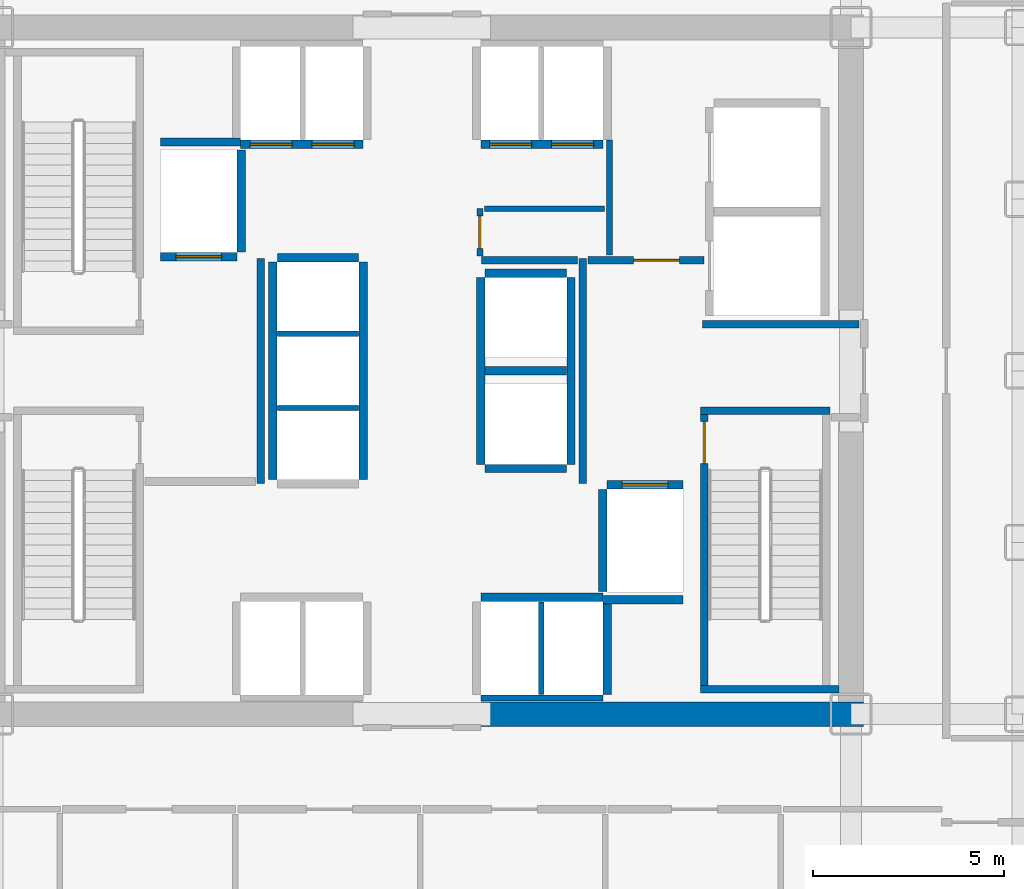
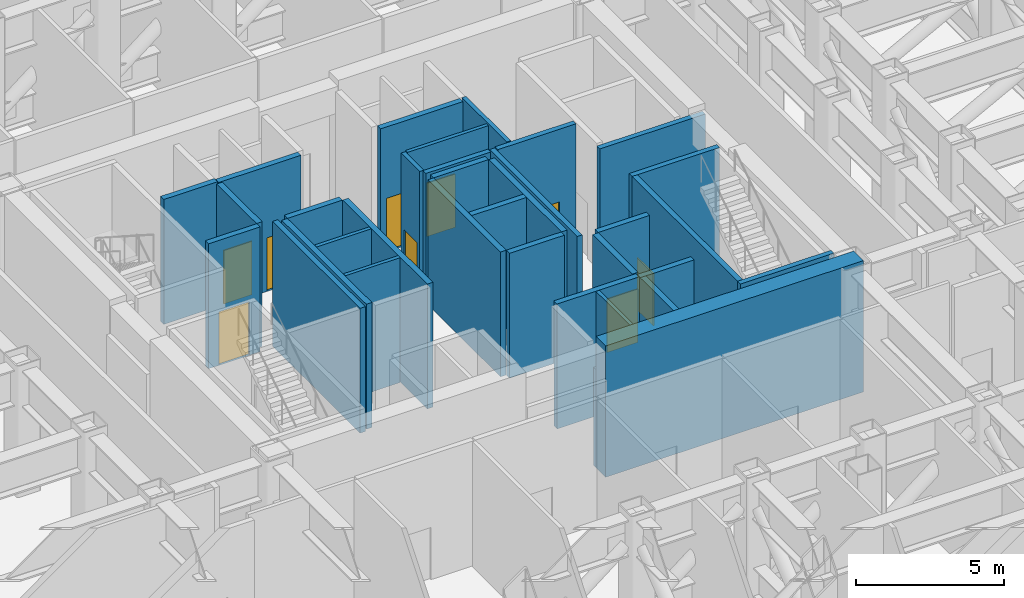
# One storey, part 11 of 17: 34 walls, 9 doors, 9 openings.
"""IFC4 building model written with IfcOpenShell, lengths in metres."""

from ifc_helpers import new_model, si_unit, direction, frame, frame_2d, origin, place, context, subcontext, project, spatial, rectangle, extrude, source, transform, mapped, material, layer, layer_set, type_object, element, fill, save


model = new_model("IFC4")

# Units and contexts
model_context = context("Model", 3, precision=1e-05, world=origin(), true_north=direction((0.0, 1.0)))
body_context = subcontext(model_context, "Body", "Model", "MODEL_VIEW")
ifc_project = project(units=[si_unit("LENGTHUNIT", "METRE"), si_unit("AREAUNIT", "SQUARE_METRE"), si_unit("VOLUMEUNIT", "CUBIC_METRE"), si_unit("PLANEANGLEUNIT", "RADIAN"), si_unit("MASSUNIT", "GRAM", prefix="KILO")], contexts=[model_context])

# Site, building, storey
site_placement = place(None, origin())
site = spatial("IfcSite", under=ifc_project, at=site_placement, CompositionType="ELEMENT")
building_placement = place(site_placement, origin())
building = spatial("IfcBuilding", under=site, at=building_placement, Name="Nefas-Gora Pilgrimage Tower", CompositionType="ELEMENT")
storey_placement = place(building_placement, frame((0.0, 0.0, 27.60009765625)))
storey = spatial("IfcBuildingStorey", under=building, at=storey_placement, Name="L05", CompositionType="ELEMENT", Elevation=27.60009765625)

# Walls
ifc_material_1 = material(Name="Concrete C60/75", Category="concrete")
ifc_layer_1 = layer(ifc_material_1, 0.64990234375)
ifc_layer_set_1 = layer_set([ifc_layer_1], Name="Concrete C60/75")
wall_type_1 = type_object("IfcWallType", Name="SW-CORE-650", PredefinedType="SHEAR", material=ifc_layer_set_1)
shared_shape_1 = source(origin(), body_context, "Body", "SweptSolid", [
    extrude(rectangle(XDim=10.02490234375, YDim=0.64990234375, at=frame_2d((5.012451171875, 0.0))), origin(), (0.0, 0.0, 1.0), 5.39990234375),
])
wall_1_placement = place(storey_placement, frame((1.550048828125, -9.0, 0.0), z_axis=(0.0, 0.0, 1.0), x_axis=(1.0, 0.0, 0.0)))
element("IfcWall", 1, at=wall_1_placement, inside=storey, type_object=wall_type_1, Name="L05 Core Shear Wall S-East", PredefinedType="SHEAR", context=body_context, shape_type="MappedRepresentation", body=[
    mapped(shared_shape_1, transform((0.0, 0.0, 0.0), x_axis=(1.0, 0.0, 0.0), y_axis=(0.0, 1.0, 0.0), z_axis=(0.0, 0.0, 1.0), scale=1.0)),
])
ifc_material_2 = material(Name="Concrete C45/55", Category="concrete")
ifc_layer_2 = layer(ifc_material_2, 0.199951171875)
ifc_layer_set_2 = layer_set([ifc_layer_2], Name="Concrete C45/55")
wall_type_2 = type_object("IfcWallType", Name="IW-STAIR-200", PredefinedType="SOLIDWALL", material=ifc_layer_set_2)
shared_shape_2 = source(origin(), body_context, "Body", "SweptSolid", [
    extrude(rectangle(XDim=3.39990234375, YDim=0.199951171875, at=frame_2d((1.699951171875, 0.0))), origin(), (0.0, 0.0, 1.0), 5.39990234375),
])
wall_2_placement = place(storey_placement, frame((7.300048828125, -1.050048828125, 0.0), z_axis=(0.0, 0.0, 1.0), x_axis=(1.0, 0.0, 0.0)))
element("IfcWall", 2, at=wall_2_placement, inside=storey, type_object=wall_type_2, Name="L05 Stairwell Shear Wall ST-02-near", PredefinedType="SOLIDWALL", context=body_context, shape_type="MappedRepresentation", body=[
    mapped(shared_shape_2, transform((0.0, 0.0, 0.0), x_axis=(1.0, 0.0, 0.0), y_axis=(0.0, 1.0, 0.0), z_axis=(0.0, 0.0, 1.0), scale=1.0)),
])
shared_shape_3 = source(origin(), body_context, "Body", "SweptSolid", [
    extrude(rectangle(XDim=3.6298828125, YDim=0.199951171875, at=frame_2d((1.81494140625, 0.0))), origin(), (0.0, 0.0, 1.0), 5.39990234375),
])
wall_3_placement = place(storey_placement, frame((7.300048828125, -8.35009765625, 0.0), z_axis=(0.0, 0.0, 1.0), x_axis=(1.0, 0.0, 0.0)))
element("IfcWall", 3, at=wall_3_placement, inside=storey, type_object=wall_type_2, Name="L05 Stairwell Shear Wall ST-02-far", PredefinedType="SOLIDWALL", context=body_context, shape_type="MappedRepresentation", body=[
    mapped(shared_shape_3, transform((0.0, 0.0, 0.0), x_axis=(1.0, 0.0, 0.0), y_axis=(0.0, 1.0, 0.0), z_axis=(0.0, 0.0, 1.0), scale=1.0)),
])

# Wall, opening, door
shared_shape_4 = source(origin(), body_context, "Body", "SweptSolid", [
    extrude(rectangle(XDim=7.10009765625, YDim=0.199951171875, at=frame_2d((3.550048828125, 0.0))), origin(), (0.0, 0.0, 1.0), 5.39990234375),
])
wall_4_placement = place(storey_placement, frame((7.39990234375, -1.14990234375, 0.0), z_axis=(0.0, 0.0, 1.0), x_axis=(0.0, -1.0, 0.0)))
wall_4 = element("IfcWall", 4, at=wall_4_placement, inside=storey, type_object=wall_type_2, Name="L05 Stairwell Shear Wall ST-02-left", PredefinedType="SOLIDWALL", context=body_context, shape_type="MappedRepresentation", body=[
    mapped(shared_shape_4, transform((0.0, 0.0, 0.0), x_axis=(1.0, 0.0, 0.0), y_axis=(0.0, 1.0, 0.0), z_axis=(0.0, 0.0, 1.0), scale=1.0)),
])
opening_1_placement = place(wall_4_placement, frame((0.179931640625, 0.0, 0.0)))
opening_1 = element("IfcOpeningElement", 5, at=opening_1_placement, cuts=wall_4, Name="Opening ID-ST1", PredefinedType="OPENING", context=body_context, shape_type="SweptSolid", body=[
    extrude(rectangle(XDim=1.10009765625, YDim=2.14990234375, at=frame_2d((0.550048828125, 1.074951171875))), frame((0.0, 0.10986328125, 0.0), z_axis=(0.0, -1.0, 0.0), x_axis=(1.0, 0.0, 0.0)), (0.0, 0.0, 1.0), 0.219970703125),
])
ifc_material_3 = material(Name="Painted galvanised steel fire stair door", Category="steel")
door_type_1 = type_object("IfcDoorType", Name="DR-INT-STAIR-1100", OperationType="NOTDEFINED", PredefinedType="DOOR", material=ifc_material_3)
shared_shape_5 = source(origin(), body_context, "Body", "SweptSolid", [
    extrude(rectangle(XDim=1.10009765625, YDim=2.14990234375, at=frame_2d((0.550048828125, 1.074951171875))), frame((0.0, 0.02490234375, 0.0), z_axis=(0.0, -1.0, 0.0), x_axis=(1.0, 0.0, 0.0)), (0.0, 0.0, 1.0), 0.050048828125),
])
door_1_placement = place(opening_1_placement, origin())
door_1 = element("IfcDoor", 6, at=door_1_placement, inside=storey, type_object=door_type_1, Name="L05 Protected Exit Stair Door ST-02", OperationType="SINGLE_SWING_RIGHT", OverallHeight=2.14990234375, OverallWidth=1.10009765625, PredefinedType="DOOR", context=body_context, shape_type="MappedRepresentation", body=[
    mapped(shared_shape_5, transform((0.0, 0.0, 0.0), x_axis=(1.0, 0.0, 0.0), y_axis=(0.0, 1.0, 0.0), z_axis=(0.0, 0.0, 1.0), scale=1.0)),
])
fill(opening_1, door_1)

ifc_material_4 = material(Name="Concrete C40/50", Category="concrete")
ifc_layer_3 = layer(ifc_material_4, 0.219970703125)
ifc_layer_set_3 = layer_set([ifc_layer_3], Name="Concrete C40/50")
wall_type_3 = type_object("IfcWallType", Name="IW-SHAFT-220", PredefinedType="SOLIDWALL", material=ifc_layer_set_3)
shared_shape_6 = source(origin(), body_context, "Body", "SweptSolid", [
    extrude(rectangle(XDim=2.0, YDim=0.219970703125, at=frame_2d((1.0, 0.0))), origin(), (0.0, 0.0, 1.0), 5.135009765625),
])
wall_5_placement = place(storey_placement, frame((-6.85009765625, 2.989990234375, 0.0), z_axis=(0.0, 0.0, 1.0), x_axis=(1.0, 0.0, 0.0)))
wall_5 = element("IfcWall", 7, at=wall_5_placement, inside=storey, type_object=wall_type_3, Name="L05 Hoistway Wall FFL-01-S", PredefinedType="SOLIDWALL", context=body_context, shape_type="MappedRepresentation", body=[
    mapped(shared_shape_6, transform((0.0, 0.0, 0.0), x_axis=(1.0, 0.0, 0.0), y_axis=(0.0, 1.0, 0.0), z_axis=(0.0, 0.0, 1.0), scale=1.0)),
])
opening_2_placement = place(wall_5_placement, frame((0.39990234375, 0.0, 0.0)))
opening_2 = element("IfcOpeningElement", 8, at=opening_2_placement, cuts=wall_5, Name="Opening LD-FF", PredefinedType="OPENING", context=body_context, shape_type="SweptSolid", body=[
    extrude(rectangle(XDim=1.199951171875, YDim=2.199951171875, at=frame_2d((0.60009765625, 1.10009765625))), frame((0.0, 0.119873046875, 0.0), z_axis=(0.0, -1.0, 0.0), x_axis=(1.0, 0.0, 0.0)), (0.0, 0.0, 1.0), 0.239990234375),
])
ifc_material_5 = material(Name="Fire-service sliding lift landing door")
door_type_2 = type_object("IfcDoorType", Name="DR-LIFT-FSAE-1200", OperationType="SLIDING_TO_LEFT", PredefinedType="DOOR", material=ifc_material_5)
shared_shape_7 = source(origin(), body_context, "Body", "SweptSolid", [
    extrude(rectangle(XDim=1.199951171875, YDim=2.199951171875, at=frame_2d((0.60009765625, 1.10009765625))), frame((0.0, 0.02490234375, 0.0), z_axis=(0.0, -1.0, 0.0), x_axis=(1.0, 0.0, 0.0)), (0.0, 0.0, 1.0), 0.050048828125),
])
door_2_placement = place(opening_2_placement, origin())
door_2 = element("IfcDoor", 9, at=door_2_placement, inside=storey, type_object=door_type_2, Name="L05 Sliding Lift Landing Door FFL-01", OperationType="SLIDING_TO_LEFT", OverallHeight=2.199951171875, OverallWidth=1.199951171875, PredefinedType="DOOR", context=body_context, shape_type="MappedRepresentation", body=[
    mapped(shared_shape_7, transform((0.0, 0.0, 0.0), x_axis=(1.0, 0.0, 0.0), y_axis=(0.0, 1.0, 0.0), z_axis=(0.0, 0.0, 1.0), scale=1.0)),
])
fill(opening_2, door_2)

wall_6_placement = place(storey_placement, frame((6.85009765625, -2.989990234375, 0.0), z_axis=(0.0, 0.0, 1.0), x_axis=(-1.0, 0.0, 0.0)))
wall_6 = element("IfcWall", 10, at=wall_6_placement, inside=storey, type_object=wall_type_3, Name="L05 Hoistway Wall FFL-02-N", PredefinedType="SOLIDWALL", context=body_context, shape_type="MappedRepresentation", body=[
    mapped(shared_shape_6, transform((0.0, 0.0, 0.0), x_axis=(1.0, 0.0, 0.0), y_axis=(0.0, 1.0, 0.0), z_axis=(0.0, 0.0, 1.0), scale=1.0)),
])
opening_3_placement = place(wall_6_placement, frame((0.39990234375, 0.0, 0.0)))
opening_3 = element("IfcOpeningElement", 11, at=opening_3_placement, cuts=wall_6, Name="Opening LD-FF", PredefinedType="OPENING", context=body_context, shape_type="SweptSolid", body=[
    extrude(rectangle(XDim=1.199951171875, YDim=2.199951171875, at=frame_2d((0.60009765625, 1.10009765625))), frame((0.0, 0.119873046875, 0.0), z_axis=(0.0, -1.0, 0.0), x_axis=(1.0, 0.0, 0.0)), (0.0, 0.0, 1.0), 0.239990234375),
])
door_3_placement = place(opening_3_placement, origin())
door_3 = element("IfcDoor", 12, at=door_3_placement, inside=storey, type_object=door_type_2, Name="L05 Sliding Lift Landing Door FFL-02", OperationType="SLIDING_TO_LEFT", OverallHeight=2.199951171875, OverallWidth=1.199951171875, PredefinedType="DOOR", context=body_context, shape_type="MappedRepresentation", body=[
    mapped(shared_shape_7, transform((0.0, 0.0, 0.0), x_axis=(1.0, 0.0, 0.0), y_axis=(0.0, 1.0, 0.0), z_axis=(0.0, 0.0, 1.0), scale=1.0)),
])
fill(opening_3, door_3)

# Walls
shared_shape_8 = source(origin(), body_context, "Body", "SweptSolid", [
    extrude(rectangle(XDim=2.679931640625, YDim=0.219970703125, at=frame_2d((1.33984375, 0.0))), origin(), (0.0, 0.0, 1.0), 5.135009765625),
])
for number, where, z_axis, x_axis, name in (
    (13, (-4.739990234375, 3.110107421875, 0.0), (0.0, 0.0, 1.0), (0.0, 1.0, 0.0), "L05 Hoistway Wall FFL-01-E"),
    (14, (4.739990234375, -3.110107421875, 0.0), (0.0, 0.0, 1.0), (0.0, -1.0, 0.0), "L05 Hoistway Wall FFL-02-W"),
):
    element("IfcWall", number, at=place(storey_placement, frame(where, z_axis=z_axis, x_axis=x_axis)), inside=storey, type_object=wall_type_3, Name=name, PredefinedType="SOLIDWALL", context=body_context, shape_type="MappedRepresentation", body=[
        mapped(shared_shape_8, transform((0.0, 0.0, 0.0), x_axis=(1.0, 0.0, 0.0), y_axis=(0.0, 1.0, 0.0), z_axis=(0.0, 0.0, 1.0), scale=1.0)),
    ])

# Wall, openings, doors
shared_shape_9 = source(origin(), body_context, "Body", "SweptSolid", [
    extrude(rectangle(XDim=3.199951171875, YDim=0.219970703125, at=frame_2d((1.60009765625, 0.0))), origin(), (0.0, 0.0, 1.0), 5.135009765625),
])
wall_7_placement = place(storey_placement, frame((-4.75, 5.93994140625, 0.0), z_axis=(0.0, 0.0, 1.0), x_axis=(1.0, 0.0, 0.0)))
wall_7 = element("IfcWall", 15, at=wall_7_placement, inside=storey, type_object=wall_type_3, Name="L05 Hoistway Wall PL1-W-S", PredefinedType="SOLIDWALL", context=body_context, shape_type="MappedRepresentation", body=[
    mapped(shared_shape_9, transform((0.0, 0.0, 0.0), x_axis=(1.0, 0.0, 0.0), y_axis=(0.0, 1.0, 0.0), z_axis=(0.0, 0.0, 1.0), scale=1.0)),
])
opening_4_placement = place(wall_7_placement, frame((0.25, 0.0, 0.0)))
opening_4 = element("IfcOpeningElement", 16, at=opening_4_placement, cuts=wall_7, Name="Opening LD-01", PredefinedType="OPENING", context=body_context, shape_type="SweptSolid", body=[
    extrude(rectangle(XDim=1.10009765625, YDim=2.199951171875, at=frame_2d((0.550048828125, 1.10009765625))), frame((0.0, 0.119873046875, 0.0), z_axis=(0.0, -1.0, 0.0), x_axis=(1.0, 0.0, 0.0)), (0.0, 0.0, 1.0), 0.239990234375),
])
opening_5_placement = place(wall_7_placement, frame((1.875, 0.0, 0.0)))
opening_5 = element("IfcOpeningElement", 17, at=opening_5_placement, cuts=wall_7, Name="Opening LD-01", PredefinedType="OPENING", context=body_context, shape_type="SweptSolid", body=[
    extrude(rectangle(XDim=1.10009765625, YDim=2.199951171875, at=frame_2d((0.550048828125, 1.10009765625))), frame((0.0, 0.119873046875, 0.0), z_axis=(0.0, -1.0, 0.0), x_axis=(1.0, 0.0, 0.0)), (0.0, 0.0, 1.0), 0.239990234375),
])
ifc_material_6 = material(Name="Brushed stainless sliding lift landing door")
door_type_3 = type_object("IfcDoorType", Name="DR-LIFT-PASS-1100", OperationType="DOUBLE_DOOR_SLIDING", PredefinedType="DOOR", material=ifc_material_6)
shared_shape_10 = source(origin(), body_context, "Body", "SweptSolid", [
    extrude(rectangle(XDim=1.10009765625, YDim=2.199951171875, at=frame_2d((0.550048828125, 1.10009765625))), frame((0.0, 0.02490234375, 0.0), z_axis=(0.0, -1.0, 0.0), x_axis=(1.0, 0.0, 0.0)), (0.0, 0.0, 1.0), 0.050048828125),
])
door_4_placement = place(opening_4_placement, origin())
door_4 = element("IfcDoor", 18, at=door_4_placement, inside=storey, type_object=door_type_3, Name="L05 Sliding Lift Landing Door PL1-01", OperationType="DOUBLE_DOOR_SLIDING", OverallHeight=2.199951171875, OverallWidth=1.10009765625, PredefinedType="DOOR", context=body_context, shape_type="MappedRepresentation", body=[
    mapped(shared_shape_10, transform((0.0, 0.0, 0.0), x_axis=(1.0, 0.0, 0.0), y_axis=(0.0, 1.0, 0.0), z_axis=(0.0, 0.0, 1.0), scale=1.0)),
])
fill(opening_4, door_4)
door_5_placement = place(opening_5_placement, origin())
door_5 = element("IfcDoor", 19, at=door_5_placement, inside=storey, type_object=door_type_3, Name="L05 Sliding Lift Landing Door PL1-02", OperationType="DOUBLE_DOOR_SLIDING", OverallHeight=2.199951171875, OverallWidth=1.10009765625, PredefinedType="DOOR", context=body_context, shape_type="MappedRepresentation", body=[
    mapped(shared_shape_10, transform((0.0, 0.0, 0.0), x_axis=(1.0, 0.0, 0.0), y_axis=(0.0, 1.0, 0.0), z_axis=(0.0, 0.0, 1.0), scale=1.0)),
])
fill(opening_5, door_5)

wall_8_placement = place(storey_placement, frame((1.550048828125, 5.93994140625, 0.0), z_axis=(0.0, 0.0, 1.0), x_axis=(1.0, 0.0, 0.0)))
wall_8 = element("IfcWall", 20, at=wall_8_placement, inside=storey, type_object=wall_type_3, Name="L05 Hoistway Wall PL1-E-S", PredefinedType="SOLIDWALL", context=body_context, shape_type="MappedRepresentation", body=[
    mapped(shared_shape_9, transform((0.0, 0.0, 0.0), x_axis=(1.0, 0.0, 0.0), y_axis=(0.0, 1.0, 0.0), z_axis=(0.0, 0.0, 1.0), scale=1.0)),
])
opening_6_placement = place(wall_8_placement, frame((0.22509765625, 0.0, 0.0)))
opening_6 = element("IfcOpeningElement", 21, at=opening_6_placement, cuts=wall_8, Name="Opening LD-01", PredefinedType="OPENING", context=body_context, shape_type="SweptSolid", body=[
    extrude(rectangle(XDim=1.10009765625, YDim=2.199951171875, at=frame_2d((0.550048828125, 1.10009765625))), frame((0.0, 0.119873046875, 0.0), z_axis=(0.0, -1.0, 0.0), x_axis=(1.0, 0.0, 0.0)), (0.0, 0.0, 1.0), 0.239990234375),
])
opening_7_placement = place(wall_8_placement, frame((1.85009765625, 0.0, 0.0)))
opening_7 = element("IfcOpeningElement", 22, at=opening_7_placement, cuts=wall_8, Name="Opening LD-01", PredefinedType="OPENING", context=body_context, shape_type="SweptSolid", body=[
    extrude(rectangle(XDim=1.10009765625, YDim=2.199951171875, at=frame_2d((0.550048828125, 1.10009765625))), frame((0.0, 0.119873046875, 0.0), z_axis=(0.0, -1.0, 0.0), x_axis=(1.0, 0.0, 0.0)), (0.0, 0.0, 1.0), 0.239990234375),
])
door_6_placement = place(opening_6_placement, origin())
door_6 = element("IfcDoor", 23, at=door_6_placement, inside=storey, type_object=door_type_3, Name="L05 Sliding Lift Landing Door PL1-03", OperationType="DOUBLE_DOOR_SLIDING", OverallHeight=2.199951171875, OverallWidth=1.10009765625, PredefinedType="DOOR", context=body_context, shape_type="MappedRepresentation", body=[
    mapped(shared_shape_10, transform((0.0, 0.0, 0.0), x_axis=(1.0, 0.0, 0.0), y_axis=(0.0, 1.0, 0.0), z_axis=(0.0, 0.0, 1.0), scale=1.0)),
])
fill(opening_6, door_6)
door_7_placement = place(opening_7_placement, origin())
door_7 = element("IfcDoor", 24, at=door_7_placement, inside=storey, type_object=door_type_3, Name="L05 Sliding Lift Landing Door PL1-04", OperationType="DOUBLE_DOOR_SLIDING", OverallHeight=2.199951171875, OverallWidth=1.10009765625, PredefinedType="DOOR", context=body_context, shape_type="MappedRepresentation", body=[
    mapped(shared_shape_10, transform((0.0, 0.0, 0.0), x_axis=(1.0, 0.0, 0.0), y_axis=(0.0, 1.0, 0.0), z_axis=(0.0, 0.0, 1.0), scale=1.0)),
])
fill(opening_7, door_7)

# Walls
wall_9_placement = place(storey_placement, frame((4.75, -5.93994140625, 0.0), z_axis=(0.0, 0.0, 1.0), x_axis=(-1.0, 0.0, 0.0)))
element("IfcWall", 25, at=wall_9_placement, inside=storey, type_object=wall_type_3, Name="L05 Hoistway Wall PL2-E-N", PredefinedType="SOLIDWALL", context=body_context, shape_type="MappedRepresentation", body=[
    mapped(shared_shape_9, transform((0.0, 0.0, 0.0), x_axis=(1.0, 0.0, 0.0), y_axis=(0.0, 1.0, 0.0), z_axis=(0.0, 0.0, 1.0), scale=1.0)),
])
ifc_material_7 = material(Name="Gypsum acoustic stud partition")
ifc_layer_4 = layer(ifc_material_7, 0.159912109375)
ifc_layer_set_4 = layer_set([ifc_layer_4], Name="Gypsum acoustic stud partition")
wall_type_4 = type_object("IfcWallType", Name="IW-CORR-160", PredefinedType="PARTITIONING", material=ifc_layer_set_4)
shared_shape_11 = source(origin(), body_context, "Body", "SweptSolid", [
    extrude(rectangle(XDim=3.199951171875, YDim=0.159912109375, at=frame_2d((1.60009765625, 0.0))), origin(), (0.0, 0.0, 1.0), 4.02490234375),
])
wall_10_placement = place(storey_placement, frame((1.550048828125, -8.580078125, 0.0), z_axis=(0.0, 0.0, 1.0), x_axis=(1.0, 0.0, 0.0)))
element("IfcWall", 26, at=wall_10_placement, inside=storey, type_object=wall_type_4, Name="L05 Hoistway Wall PL2-E-S", PredefinedType="PARTITIONING", context=body_context, shape_type="MappedRepresentation", body=[
    mapped(shared_shape_11, transform((0.0, 0.0, 0.0), x_axis=(1.0, 0.0, 0.0), y_axis=(0.0, 1.0, 0.0), z_axis=(0.0, 0.0, 1.0), scale=1.0)),
])
shared_shape_12 = source(origin(), body_context, "Body", "SweptSolid", [
    extrude(rectangle(XDim=2.429931640625, YDim=0.219970703125, at=frame_2d((1.21484375, 0.0))), origin(), (0.0, 0.0, 1.0), 5.135009765625),
])
wall_11_placement = place(storey_placement, frame((4.860107421875, -8.489990234375, 0.0), z_axis=(0.0, 0.0, 1.0), x_axis=(0.0, 1.0, 0.0)))
element("IfcWall", 27, at=wall_11_placement, inside=storey, type_object=wall_type_3, Name="L05 Hoistway Wall PL2-E-E", PredefinedType="SOLIDWALL", context=body_context, shape_type="MappedRepresentation", body=[
    mapped(shared_shape_12, transform((0.0, 0.0, 0.0), x_axis=(1.0, 0.0, 0.0), y_axis=(0.0, 1.0, 0.0), z_axis=(0.0, 0.0, 1.0), scale=1.0)),
])
ifc_material_8 = material(Name="Gypsum twin-stud partition")
ifc_layer_5 = layer(ifc_material_8, 0.139892578125)
ifc_layer_set_5 = layer_set([ifc_layer_5], Name="Gypsum twin-stud partition")
wall_type_5 = type_object("IfcWallType", Name="IW-UNIT-140", PredefinedType="PARTITIONING", material=ifc_layer_set_5)
shared_shape_13 = source(origin(), body_context, "Body", "SweptSolid", [
    extrude(rectangle(XDim=2.429931640625, YDim=0.139892578125, at=frame_2d((1.21484375, 0.0))), origin(), (0.0, 0.0, 1.0), 5.135009765625),
])
wall_12_placement = place(storey_placement, frame((3.125, -8.489990234375, 0.0), z_axis=(0.0, 0.0, 1.0), x_axis=(0.0, 1.0, 0.0)))
element("IfcWall", 28, at=wall_12_placement, inside=storey, type_object=wall_type_5, Name="L05 Hoistway Wall PL2-E-DIV", PredefinedType="PARTITIONING", context=body_context, shape_type="MappedRepresentation", body=[
    mapped(shared_shape_13, transform((0.0, 0.0, 0.0), x_axis=(1.0, 0.0, 0.0), y_axis=(0.0, 1.0, 0.0), z_axis=(0.0, 0.0, 1.0), scale=1.0)),
])
shared_shape_14 = source(origin(), body_context, "Body", "SweptSolid", [
    extrude(rectangle(XDim=5.7001953125, YDim=0.219970703125, at=frame_2d((2.85009765625, 0.0))), origin(), (0.0, 0.0, 1.0), 5.135009765625),
])
for number, where, z_axis, x_axis, name in (
    (29, (-1.5400390625, -2.85009765625, 0.0), (0.0, 0.0, 1.0), (0.0, 1.0, 0.0), "L05 Hoistway Wall PL3-01-03-E"),
    (30, (-3.909912109375, 2.85009765625, 0.0), (0.0, 0.0, 1.0), (0.0, -1.0, 0.0), "L05 Hoistway Wall PL3-01-03-W"),
):
    element("IfcWall", number, at=place(storey_placement, frame(where, z_axis=z_axis, x_axis=x_axis)), inside=storey, type_object=wall_type_3, Name=name, PredefinedType="SOLIDWALL", context=body_context, shape_type="MappedRepresentation", body=[
        mapped(shared_shape_14, transform((0.0, 0.0, 0.0), x_axis=(1.0, 0.0, 0.0), y_axis=(0.0, 1.0, 0.0), z_axis=(0.0, 0.0, 1.0), scale=1.0)),
    ])
shared_shape_15 = source(origin(), body_context, "Body", "SweptSolid", [
    extrude(rectangle(XDim=2.130126953125, YDim=0.219970703125, at=frame_2d((1.06494140625, 0.0))), origin(), (0.0, 0.0, 1.0), 5.135009765625),
])
for number, where, z_axis, x_axis, name in (
    (31, (-1.659912109375, 2.9599609375, 0.0), (0.0, 0.0, 1.0), (-1.0, 0.0, 0.0), "L05 Hoistway Wall PL3-03-N"),
    (32, (1.659912109375, -2.56005859375, 0.0), (0.0, 0.0, 1.0), (1.0, 0.0, 0.0), "L05 Hoistway Wall OBS-01-S"),
    (33, (1.659912109375, 0.0, 0.0), (0.0, 0.0, 1.0), (1.0, 0.0, 0.0), "L05 Hoistway Wall OBS-01-02-DIV"),
    (34, (3.7900390625, 2.56005859375, 0.0), (0.0, 0.0, 1.0), (-1.0, 0.0, 0.0), "L05 Hoistway Wall OBS-02-N"),
):
    element("IfcWall", number, at=place(storey_placement, frame(where, z_axis=z_axis, x_axis=x_axis)), inside=storey, type_object=wall_type_3, Name=name, PredefinedType="SOLIDWALL", context=body_context, shape_type="MappedRepresentation", body=[
        mapped(shared_shape_15, transform((0.0, 0.0, 0.0), x_axis=(1.0, 0.0, 0.0), y_axis=(0.0, 1.0, 0.0), z_axis=(0.0, 0.0, 1.0), scale=1.0)),
    ])
shared_shape_16 = source(origin(), body_context, "Body", "SweptSolid", [
    extrude(rectangle(XDim=2.130126953125, YDim=0.139892578125, at=frame_2d((1.06494140625, 0.0))), origin(), (0.0, 0.0, 1.0), 5.135009765625),
])
for number, where, z_axis, x_axis, name in (
    (35, (-3.7900390625, -0.97509765625, 0.0), (0.0, 0.0, 1.0), (1.0, 0.0, 0.0), "L05 Hoistway Wall PL3-01-02-DIV"),
    (36, (-3.7900390625, 0.97509765625, 0.0), (0.0, 0.0, 1.0), (1.0, 0.0, 0.0), "L05 Hoistway Wall PL3-02-03-DIV"),
):
    element("IfcWall", number, at=place(storey_placement, frame(where, z_axis=z_axis, x_axis=x_axis)), inside=storey, type_object=wall_type_5, Name=name, PredefinedType="PARTITIONING", context=body_context, shape_type="MappedRepresentation", body=[
        mapped(shared_shape_16, transform((0.0, 0.0, 0.0), x_axis=(1.0, 0.0, 0.0), y_axis=(0.0, 1.0, 0.0), z_axis=(0.0, 0.0, 1.0), scale=1.0)),
    ])
shared_shape_17 = source(origin(), body_context, "Body", "SweptSolid", [
    extrude(rectangle(XDim=4.89990234375, YDim=0.219970703125, at=frame_2d((2.449951171875, 0.0))), origin(), (0.0, 0.0, 1.0), 5.135009765625),
])
for number, where, z_axis, x_axis, name in (
    (37, (1.5400390625, 2.449951171875, 0.0), (0.0, 0.0, 1.0), (0.0, -1.0, 0.0), "L05 Hoistway Wall OBS-01-02-W"),
    (38, (3.909912109375, -2.449951171875, 0.0), (0.0, 0.0, 1.0), (0.0, 1.0, 0.0), "L05 Hoistway Wall OBS-01-02-E"),
):
    element("IfcWall", number, at=place(storey_placement, frame(where, z_axis=z_axis, x_axis=x_axis)), inside=storey, type_object=wall_type_3, Name=name, PredefinedType="SOLIDWALL", context=body_context, shape_type="MappedRepresentation", body=[
        mapped(shared_shape_17, transform((0.0, 0.0, 0.0), x_axis=(1.0, 0.0, 0.0), y_axis=(0.0, 1.0, 0.0), z_axis=(0.0, 0.0, 1.0), scale=1.0)),
    ])
shared_shape_18 = source(origin(), body_context, "Body", "SweptSolid", [
    extrude(rectangle(XDim=2.09521484375, YDim=0.219970703125, at=frame_2d((1.047607421875, 0.0))), origin(), (0.0, 0.0, 1.0), 5.135009765625),
])
for number, where, z_axis, x_axis, name in (
    (39, (-6.85009765625, 6.0, 0.0), (0.0, 0.0, 1.0), (1.0, 0.0, 0.0), "L05 Riser Shaft Wall 1"),
    (40, (4.7548828125, -6.0, 0.0), (0.0, 0.0, 1.0), (1.0, 0.0, 0.0), "L05 Riser Shaft Wall 2"),
):
    element("IfcWall", number, at=place(storey_placement, frame(where, z_axis=z_axis, x_axis=x_axis)), inside=storey, type_object=wall_type_3, Name=name, PredefinedType="SOLIDWALL", context=body_context, shape_type="MappedRepresentation", body=[
        mapped(shared_shape_18, transform((0.0, 0.0, 0.0), x_axis=(1.0, 0.0, 0.0), y_axis=(0.0, 1.0, 0.0), z_axis=(0.0, 0.0, 1.0), scale=1.0)),
    ])
ifc_material_9 = material(Name="Gypsum fire-rated shaftwall")
ifc_layer_6 = layer(ifc_material_9, 0.199951171875)
ifc_layer_set_6 = layer_set([ifc_layer_6], Name="Gypsum fire-rated shaftwall")
wall_type_6 = type_object("IfcWallType", Name="IW-FFLOB-200", PredefinedType="PARTITIONING", material=ifc_layer_set_6)
shared_shape_19 = source(origin(), body_context, "Body", "SweptSolid", [
    extrude(rectangle(XDim=5.89990234375, YDim=0.199951171875, at=frame_2d((2.949951171875, 0.0))), origin(), (0.0, 0.0, 1.0), 5.135009765625),
])
for number, where, z_axis, x_axis, name in (
    (41, (-4.219970703125, -2.949951171875, 0.0), (0.0, 0.0, 1.0), (0.0, 1.0, 0.0), "L05 FF Lobby West Inner Wall Wall 4"),
    (42, (4.219970703125, -2.949951171875, 0.0), (0.0, 0.0, 1.0), (0.0, 1.0, 0.0), "L05 FF Lobby East Inner Wall Wall 9"),
):
    element("IfcWall", number, at=place(storey_placement, frame(where, z_axis=z_axis, x_axis=x_axis)), inside=storey, type_object=wall_type_6, Name=name, PredefinedType="PARTITIONING", context=body_context, shape_type="MappedRepresentation", body=[
        mapped(shared_shape_19, transform((0.0, 0.0, 0.0), x_axis=(1.0, 0.0, 0.0), y_axis=(0.0, 1.0, 0.0), z_axis=(0.0, 0.0, 1.0), scale=1.0)),
    ])
shared_shape_20 = source(origin(), body_context, "Body", "SweptSolid", [
    extrude(rectangle(XDim=2.52001953125, YDim=0.199951171875, at=frame_2d((1.260009765625, 0.0))), origin(), (0.0, 0.0, 1.0), 5.135009765625),
])
wall_13_placement = place(storey_placement, frame((1.56005859375, 2.89990234375, 0.0), z_axis=(0.0, 0.0, 1.0), x_axis=(1.0, 0.0, 0.0)))
element("IfcWall", 43, at=wall_13_placement, inside=storey, type_object=wall_type_6, Name="L05 FF Lobby East North Wall Wall 10", PredefinedType="PARTITIONING", context=body_context, shape_type="MappedRepresentation", body=[
    mapped(shared_shape_20, transform((0.0, 0.0, 0.0), x_axis=(1.0, 0.0, 0.0), y_axis=(0.0, 1.0, 0.0), z_axis=(0.0, 0.0, 1.0), scale=1.0)),
])

# Wall, opening, door
shared_shape_21 = source(origin(), body_context, "Body", "SweptSolid", [
    extrude(rectangle(XDim=3.039794921875, YDim=0.199951171875, at=frame_2d((1.52001953125, 0.0))), origin(), (0.0, 0.0, 1.0), 5.135009765625),
])
wall_14_placement = place(storey_placement, frame((4.360107421875, 2.89990234375, 0.0), z_axis=(0.0, 0.0, 1.0), x_axis=(1.0, 0.0, 0.0)))
wall_14 = element("IfcWall", 44, at=wall_14_placement, inside=storey, type_object=wall_type_6, Name="L05 FF Lobby East North Wall Wall 11", PredefinedType="PARTITIONING", context=body_context, shape_type="MappedRepresentation", body=[
    mapped(shared_shape_21, transform((0.0, 0.0, 0.0), x_axis=(1.0, 0.0, 0.0), y_axis=(0.0, 1.0, 0.0), z_axis=(0.0, 0.0, 1.0), scale=1.0)),
])
opening_8_placement = place(wall_14_placement, frame((1.18994140625, 0.0, 0.0)))
opening_8 = element("IfcOpeningElement", 45, at=opening_8_placement, cuts=wall_14, Name="Opening ID-PL1", PredefinedType="OPENING", context=body_context, shape_type="SweptSolid", body=[
    extrude(rectangle(XDim=1.199951171875, YDim=2.14990234375, at=frame_2d((0.60009765625, 1.074951171875))), frame((0.0, 0.10986328125, 0.0), z_axis=(0.0, -1.0, 0.0), x_axis=(1.0, 0.0, 0.0)), (0.0, 0.0, 1.0), 0.219970703125),
])
ifc_material_10 = material(Name="Heavy-duty steel plant room fire door", Category="steel")
door_type_4 = type_object("IfcDoorType", Name="DR-INT-PLANT-1200", OperationType="NOTDEFINED", PredefinedType="DOOR", material=ifc_material_10)
shared_shape_22 = source(origin(), body_context, "Body", "SweptSolid", [
    extrude(rectangle(XDim=1.199951171875, YDim=2.14990234375, at=frame_2d((0.60009765625, 1.074951171875))), frame((0.0, 0.02490234375, 0.0), z_axis=(0.0, -1.0, 0.0), x_axis=(1.0, 0.0, 0.0)), (0.0, 0.0, 1.0), 0.050048828125),
])
door_8_placement = place(opening_8_placement, origin())
door_8 = element("IfcDoor", 46, at=door_8_placement, inside=storey, type_object=door_type_4, Name="L05 Service Lift Lobby Door Door 3", OperationType="SINGLE_SWING_LEFT", OverallHeight=2.14990234375, OverallWidth=1.199951171875, PredefinedType="DOOR", context=body_context, shape_type="MappedRepresentation", body=[
    mapped(shared_shape_22, transform((0.0, 0.0, 0.0), x_axis=(1.0, 0.0, 0.0), y_axis=(0.0, 1.0, 0.0), z_axis=(0.0, 0.0, 1.0), scale=1.0)),
])
fill(opening_8, door_8)

# Walls
shared_shape_23 = source(origin(), body_context, "Body", "SweptSolid", [
    extrude(rectangle(XDim=4.10986328125, YDim=0.199951171875, at=frame_2d((2.054931640625, 0.0))), origin(), (0.0, 0.0, 1.0), 5.135009765625),
])
wall_15_placement = place(storey_placement, frame((7.35009765625, 1.219970703125, 0.0), z_axis=(0.0, 0.0, 1.0), x_axis=(1.0, 0.0, 0.0)))
element("IfcWall", 47, at=wall_15_placement, inside=storey, type_object=wall_type_6, Name="L05 FF Lobby East Throat N Wall 12", PredefinedType="PARTITIONING", context=body_context, shape_type="MappedRepresentation", body=[
    mapped(shared_shape_23, transform((0.0, 0.0, 0.0), x_axis=(1.0, 0.0, 0.0), y_axis=(0.0, 1.0, 0.0), z_axis=(0.0, 0.0, 1.0), scale=1.0)),
])
shared_shape_24 = source(origin(), body_context, "Body", "SweptSolid", [
    extrude(rectangle(XDim=3.014892578125, YDim=0.159912109375, at=frame_2d((1.50732421875, 0.0))), origin(), (0.0, 0.0, 1.0), 5.135009765625),
])
wall_16_placement = place(storey_placement, frame((4.919921875, 3.0400390625, 0.0), z_axis=(0.0, 0.0, 1.0), x_axis=(0.0, 1.0, 0.0)))
element("IfcWall", 48, at=wall_16_placement, inside=storey, type_object=wall_type_4, Name="L05 Service Lift Lobby West Wall Wall 16", PredefinedType="PARTITIONING", context=body_context, shape_type="MappedRepresentation", body=[
    mapped(shared_shape_24, transform((0.0, 0.0, 0.0), x_axis=(1.0, 0.0, 0.0), y_axis=(0.0, 1.0, 0.0), z_axis=(0.0, 0.0, 1.0), scale=1.0)),
])

# Wall, opening, door
shared_shape_25 = source(origin(), body_context, "Body", "SweptSolid", [
    extrude(rectangle(XDim=1.25, YDim=0.159912109375, at=frame_2d((0.625, 0.0))), origin(), (0.0, 0.0, 1.0), 5.135009765625),
])
wall_17_placement = place(storey_placement, frame((1.52001953125, 3.010009765625, 0.0), z_axis=(0.0, 0.0, 1.0), x_axis=(0.0, 1.0, 0.0)))
wall_17 = element("IfcWall", 49, at=wall_17_placement, inside=storey, type_object=wall_type_4, Name="L05 Core Communications Room Wall 17", PredefinedType="PARTITIONING", context=body_context, shape_type="MappedRepresentation", body=[
    mapped(shared_shape_25, transform((0.0, 0.0, 0.0), x_axis=(1.0, 0.0, 0.0), y_axis=(0.0, 1.0, 0.0), z_axis=(0.0, 0.0, 1.0), scale=1.0)),
])
opening_9_placement = place(wall_17_placement, frame((0.199951171875, 0.0, 0.0)))
opening_9 = element("IfcOpeningElement", 50, at=opening_9_placement, cuts=wall_17, Name="Opening ID-BT1", PredefinedType="OPENING", context=body_context, shape_type="SweptSolid", body=[
    extrude(rectangle(XDim=0.85009765625, YDim=2.10009765625, at=frame_2d((0.425048828125, 1.050048828125))), frame((0.0, 0.08984375, 0.0), z_axis=(0.0, -1.0, 0.0), x_axis=(1.0, 0.0, 0.0)), (0.0, 0.0, 1.0), 0.179931640625),
])
ifc_material_11 = material(Name="Moisture-resistant fire-rated timber door", Category="wood")
door_type_5 = type_object("IfcDoorType", Name="DR-INT-BATH-850", OperationType="NOTDEFINED", PredefinedType="DOOR", material=ifc_material_11)
shared_shape_26 = source(origin(), body_context, "Body", "SweptSolid", [
    extrude(rectangle(XDim=0.85009765625, YDim=2.10009765625, at=frame_2d((0.425048828125, 1.050048828125))), frame((0.0, 0.02490234375, 0.0), z_axis=(0.0, -1.0, 0.0), x_axis=(1.0, 0.0, 0.0)), (0.0, 0.0, 1.0), 0.050048828125),
])
door_9_placement = place(opening_9_placement, origin())
door_9 = element("IfcDoor", 51, at=door_9_placement, inside=storey, type_object=door_type_5, Name="L05 Core Communications Room Door 6", OperationType="SINGLE_SWING_RIGHT", OverallHeight=2.10009765625, OverallWidth=0.85009765625, PredefinedType="DOOR", context=body_context, shape_type="MappedRepresentation", body=[
    mapped(shared_shape_26, transform((0.0, 0.0, 0.0), x_axis=(1.0, 0.0, 0.0), y_axis=(0.0, 1.0, 0.0), z_axis=(0.0, 0.0, 1.0), scale=1.0)),
])
fill(opening_9, door_9)

# Wall
shared_shape_27 = source(origin(), body_context, "Body", "SweptSolid", [
    extrude(rectangle(XDim=3.150146484375, YDim=0.139892578125, at=frame_2d((1.5751953125, 0.0))), origin(), (0.0, 0.0, 1.0), 5.135009765625),
])
wall_18_placement = place(storey_placement, frame((1.639892578125, 4.25, 0.0), z_axis=(0.0, 0.0, 1.0), x_axis=(1.0, 0.0, 0.0)))
element("IfcWall", 52, at=wall_18_placement, inside=storey, type_object=wall_type_5, Name="L05 Core Communications Room Partition Wall 18", PredefinedType="PARTITIONING", context=body_context, shape_type="MappedRepresentation", body=[
    mapped(shared_shape_27, transform((0.0, 0.0, 0.0), x_axis=(1.0, 0.0, 0.0), y_axis=(0.0, 1.0, 0.0), z_axis=(0.0, 0.0, 1.0), scale=1.0)),
])

save(model, "model.ifc")
